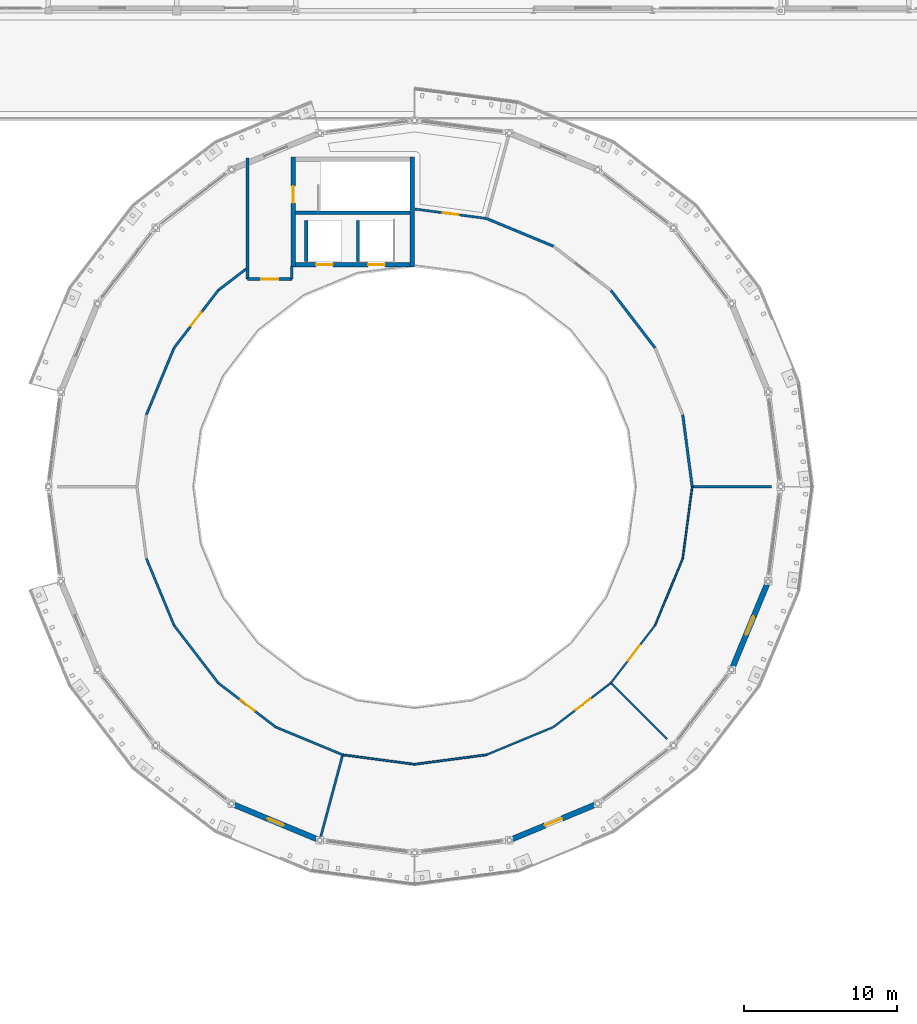
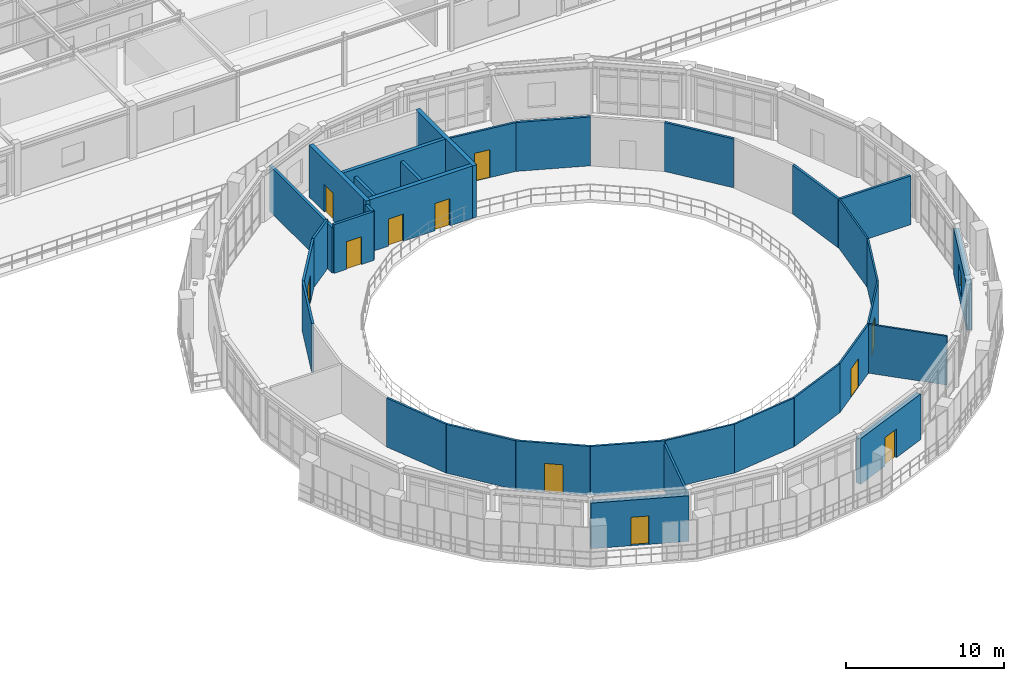
# One storey, part 45 of 58: 33 walls, 11 doors, 1 window, 12 openings.
"""IFC4 building model written with IfcOpenShell, lengths in metres."""

from ifc_helpers import new_model, si_unit, derived_unit, direction, frame, frame_2d, origin, place, context, subcontext, project, spatial, rectangle, extrude, material, layer, layer_set, type_object, element, fill, save


model = new_model("IFC4")

# Units and contexts
model_context = context("Model", 3, precision=1e-05, world=origin(), true_north=direction((0.0, 1.0)))
body_context = subcontext(model_context, "Body", "Model", "MODEL_VIEW")
ifc_project = project(units=[si_unit("LENGTHUNIT", "METRE"), si_unit("AREAUNIT", "SQUARE_METRE"), si_unit("VOLUMEUNIT", "CUBIC_METRE"), si_unit("PLANEANGLEUNIT", "RADIAN"), si_unit("MASSUNIT", "GRAM", prefix="KILO"), derived_unit("THERMALTRANSMITTANCEUNIT", [(si_unit("POWERUNIT", "WATT"), 1), (si_unit("AREAUNIT", "SQUARE_METRE"), -1), (si_unit("THERMODYNAMICTEMPERATUREUNIT", "KELVIN"), -1)])], contexts=[model_context])

# Site, building, storey
site_placement = place(None, origin())
site = spatial("IfcSite", under=ifc_project, at=site_placement, CompositionType="ELEMENT")
building_placement = place(site_placement, origin())
building = spatial("IfcBuilding", under=site, at=building_placement, Name="Yasenodar Specialist Clinic", CompositionType="ELEMENT")
storey_placement = place(building_placement, frame((0.0, 0.0, 17.25)))
storey = spatial("IfcBuildingStorey", under=building, at=storey_placement, Name="L04", CompositionType="ELEMENT", Elevation=17.25)

# Wall, opening, door
ifc_material_1 = material(Name="Drum Insulated Terracotta Chord Wall", Category="masonry")
ifc_layer_1 = layer(ifc_material_1, 0.364990234375)
ifc_layer_set_1 = layer_set([ifc_layer_1], Name="Drum Insulated Terracotta Chord Wall")
wall_type_1 = type_object("IfcWallType", Name="EW-DRUM-365", PredefinedType="SOLIDWALL", material=ifc_layer_set_1)
wall_1_placement = place(storey_placement, frame((74.788330078125, 35.617919921875, 0.0), z_axis=(0.0, 0.0, 1.0), x_axis=(-0.9238876519, 0.382663829839, 0.0)))
wall_1 = element("IfcWall", 1, at=wall_1_placement, inside=storey, type_object=wall_type_1, Name="L04 Exterior Facade Wall 0037", PredefinedType="SOLIDWALL", context=body_context, shape_type="SweptSolid", body=[
    extrude(rectangle(XDim=6.26513671875, YDim=0.364990234375, at=frame_2d((3.132568359375, 0.0))), origin(), (0.0, 0.0, 1.0), 3.528076171875),
])
opening_1_placement = place(wall_1_placement, frame((2.5576171875, 0.0, 0.0)))
opening_1 = element("IfcOpeningElement", 2, at=opening_1_placement, cuts=wall_1, Name="Opening BD-02", PredefinedType="OPENING", context=body_context, shape_type="SweptSolid", body=[
    extrude(rectangle(XDim=1.14990234375, YDim=2.199951171875, at=frame_2d((0.574951171875, 1.10009765625))), frame((0.0, 0.1923828125, 0.0), z_axis=(0.0, -1.0, 0.0), x_axis=(1.0, 0.0, 0.0)), (0.0, 0.0, 1.0), 0.385009765625),
])
ifc_material_2 = material(Name="Thermally Broken Bronze Anodized Aluminium and Laminated Glass", Category="aluminium")
door_type_1 = type_object("IfcDoorType", Name="DR-BALC-115", OperationType="NOTDEFINED", PredefinedType="DOOR", material=ifc_material_2)
door_1_placement = place(opening_1_placement, origin())
door_1 = element("IfcDoor", 3, at=door_1_placement, inside=storey, type_object=door_type_1, Name="L04 Drum Balcony Access Door Sector 16", OperationType="SINGLE_SWING_LEFT", OverallHeight=2.199951171875, OverallWidth=1.14990234375, PredefinedType="DOOR", context=body_context, shape_type="SweptSolid", body=[
    extrude(rectangle(XDim=1.14990234375, YDim=2.199951171875, at=frame_2d((0.574951171875, 1.10009765625))), frame((0.0, 0.02490234375, 0.0), z_axis=(0.0, -1.0, 0.0), x_axis=(1.0, 0.0, 0.0)), (0.0, 0.0, 1.0), 0.050048828125),
])
fill(opening_1, door_1)

wall_2_placement = place(storey_placement, frame((93.0, 38.015380859375, 0.0), z_axis=(0.0, 0.0, 1.0), x_axis=(-0.9238876519, -0.382663829839, 0.0)))
wall_2 = element("IfcWall", 4, at=wall_2_placement, inside=storey, type_object=wall_type_1, Name="L04 Exterior Facade Wall 0038", PredefinedType="SOLIDWALL", context=body_context, shape_type="SweptSolid", body=[
    extrude(rectangle(XDim=6.26513671875, YDim=0.364990234375, at=frame_2d((3.132568359375, 0.0))), origin(), (0.0, 0.0, 1.0), 3.528076171875),
])
opening_2_placement = place(wall_2_placement, frame((2.522705078125, 0.0, 0.0)))
opening_2 = element("IfcOpeningElement", 5, at=opening_2_placement, cuts=wall_2, Name="Opening BD-03", PredefinedType="OPENING", context=body_context, shape_type="SweptSolid", body=[
    extrude(rectangle(XDim=1.219970703125, YDim=2.219970703125, at=frame_2d((0.60986328125, 1.10986328125))), frame((0.0, 0.1923828125, 0.0), z_axis=(0.0, -1.0, 0.0), x_axis=(1.0, 0.0, 0.0)), (0.0, 0.0, 1.0), 0.385009765625),
])
door_type_2 = type_object("IfcDoorType", Name="DR-BALC-122", OperationType="NOTDEFINED", PredefinedType="DOOR", material=ifc_material_2)
door_2_placement = place(opening_2_placement, origin())
door_2 = element("IfcDoor", 6, at=door_2_placement, inside=storey, type_object=door_type_2, Name="L04 Drum Balcony Access Door Sector 19", OperationType="SINGLE_SWING_RIGHT", OverallHeight=2.219970703125, OverallWidth=1.219970703125, PredefinedType="DOOR", context=body_context, shape_type="SweptSolid", body=[
    extrude(rectangle(XDim=1.219970703125, YDim=2.219970703125, at=frame_2d((0.60986328125, 1.10986328125))), frame((0.0, 0.02490234375, 0.0), z_axis=(0.0, -1.0, 0.0), x_axis=(1.0, 0.0, 0.0)), (0.0, 0.0, 1.0), 0.050048828125),
])
fill(opening_2, door_2)

# Wall, opening, window
wall_3_placement = place(storey_placement, frame((104.18212890625, 52.58837890625, 0.0), z_axis=(0.0, 0.0, 1.0), x_axis=(-0.382663829839, -0.9238876519, 0.0)))
wall_3 = element("IfcWall", 7, at=wall_3_placement, inside=storey, type_object=wall_type_1, Name="L04 Exterior Facade Wall 0039", PredefinedType="SOLIDWALL", context=body_context, shape_type="SweptSolid", body=[
    extrude(rectangle(XDim=6.26513671875, YDim=0.364990234375, at=frame_2d((3.132568359375, 0.0))), origin(), (0.0, 0.0, 1.0), 3.528076171875),
])
opening_3_placement = place(wall_3_placement, frame((2.482666015625, 0.0, 0.85009765625)))
opening_3 = element("IfcOpeningElement", 8, at=opening_3_placement, cuts=wall_3, Name="Opening W-21", PredefinedType="OPENING", context=body_context, shape_type="SweptSolid", body=[
    extrude(rectangle(XDim=1.300048828125, YDim=1.64990234375, at=frame_2d((0.64990234375, 0.824951171875))), frame((0.0, 0.1923828125, 0.0), z_axis=(0.0, -1.0, 0.0), x_axis=(1.0, 0.0, 0.0)), (0.0, 0.0, 1.0), 0.385009765625),
])
ifc_material_3 = material(Name="Triple Low-E Argon Glazing in Bronze Aluminium Frame", Category="aluminium")
window_type = type_object("IfcWindowType", Name="WIN-EXT-21", PartitioningType="SINGLE_PANEL", PredefinedType="WINDOW", material=ifc_material_3)
window_placement = place(opening_3_placement, origin())
window = element("IfcWindow", 9, at=window_placement, inside=storey, type_object=window_type, Name="L04 Triple-Glazed Reveal Window 0021", OverallHeight=1.64990234375, OverallWidth=1.300048828125, PartitioningType="SINGLE_PANEL", PredefinedType="WINDOW", context=body_context, shape_type="SweptSolid", body=[
    extrude(rectangle(XDim=1.300048828125, YDim=1.64990234375, at=frame_2d((0.64990234375, 0.824951171875))), frame((0.0, 0.030029296875, 0.0), z_axis=(0.0, -1.0, 0.0), x_axis=(1.0, 0.0, 0.0)), (0.0, 0.0, 1.0), 0.06005859375),
])
fill(opening_3, window)

# Wall, opening, door
ifc_material_4 = material(Name="Outpatient Examination Partition")
ifc_layer_2 = layer(ifc_material_4, 0.14990234375)
ifc_layer_set_2 = layer_set([ifc_layer_2], Name="Outpatient Examination Partition")
wall_type_2 = type_object("IfcWallType", Name="IW-CONS-150", PredefinedType="PARTITIONING", material=ifc_layer_set_2)
wall_4_placement = place(storey_placement, frame((68.130615234375, 45.9306640625, 0.0), z_axis=(0.0, 0.0, 1.0), x_axis=(0.793347417989, -0.608769147025, 0.0)))
wall_4 = element("IfcWall", 10, at=wall_4_placement, inside=storey, type_object=wall_type_2, Name="L04 Endocrinology Metabolic Treatment Suite Partition", PredefinedType="PARTITIONING", context=body_context, shape_type="SweptSolid", body=[
    extrude(rectangle(XDim=4.751220703125, YDim=0.14990234375, at=frame_2d((2.37548828125, 0.0))), origin(), (0.0, 0.0, 1.0), 3.780029296875),
])
opening_4_placement = place(wall_4_placement, frame((1.82568359375, 0.0, 0.0)))
opening_4 = element("IfcOpeningElement", 11, at=opening_4_placement, cuts=wall_4, Name="Opening D-06", PredefinedType="OPENING", context=body_context, shape_type="SweptSolid", body=[
    extrude(rectangle(XDim=1.179931640625, YDim=2.199951171875, at=frame_2d((0.58984375, 1.10009765625))), frame((0.0, 0.0849609375, 0.0), z_axis=(0.0, -1.0, 0.0), x_axis=(1.0, 0.0, 0.0)), (0.0, 0.0, 1.0), 0.169921875),
])
ifc_material_5 = material(Name="Powder-Coated Steel and Acoustic Laminate Leaf", Category="steel")
door_type_3 = type_object("IfcDoorType", Name="DR-CLN-118", OperationType="NOTDEFINED", PredefinedType="DOOR", material=ifc_material_5)
door_3_placement = place(opening_4_placement, origin())
door_3 = element("IfcDoor", 12, at=door_3_placement, inside=storey, type_object=door_type_3, Name="L04 Endocrinology Metabolic Treatment Suite Door", OperationType="SINGLE_SWING_LEFT", OverallHeight=2.199951171875, OverallWidth=1.179931640625, PredefinedType="DOOR", context=body_context, shape_type="SweptSolid", body=[
    extrude(rectangle(XDim=1.179931640625, YDim=2.199951171875, at=frame_2d((0.58984375, 1.10009765625))), frame((0.0, 0.02490234375, 0.0), z_axis=(0.0, -1.0, 0.0), x_axis=(1.0, 0.0, 0.0)), (0.0, 0.0, 1.0), 0.050048828125),
])
fill(opening_4, door_3)

# Walls
for number, where, z_axis, x_axis, name in (
    (13, (65.23828125, 49.699951171875, 0.0), (0.0, 0.0, 1.0), (0.608769147025, -0.793347417989, 0.0), "L04 Endocrinology Metabolic Treatment Suite Partition"),
    (14, (63.420166015625, 54.089599609375, 0.0), (0.0, 0.0, 1.0), (0.382658877568, -0.923889703059, 0.0), "L04 Endocrinology Metabolic Treatment Suite Partition"),
    (15, (71.89990234375, 43.038330078125, 0.0), (0.0, 0.0, 1.0), (0.923889703059, -0.382658877568, 0.0), "L04 Endocrinology Metabolic Treatment Suite Partition"),
):
    element("IfcWall", number, at=place(storey_placement, frame(where, z_axis=z_axis, x_axis=x_axis)), inside=storey, type_object=wall_type_2, Name=name, PredefinedType="PARTITIONING", context=body_context, shape_type="SweptSolid", body=[
        extrude(rectangle(XDim=4.751220703125, YDim=0.14990234375, at=frame_2d((2.37548828125, 0.0))), origin(), (0.0, 0.0, 1.0), 3.780029296875),
    ])
wall_5_placement = place(storey_placement, frame((76.28955078125, 41.22021484375, 0.0), z_axis=(0.0, 0.0, 1.0), x_axis=(-0.258829913508, -0.965922914043, 0.0)))
element("IfcWall", 16, at=wall_5_placement, inside=storey, type_object=wall_type_2, Name="L04 Endocrinology Metabolic Treatment Suite Partition", PredefinedType="PARTITIONING", context=body_context, shape_type="SweptSolid", body=[
    extrude(rectangle(XDim=5.635986328125, YDim=0.14990234375, at=frame_2d((2.81787109375, 0.0))), origin(), (0.0, 0.0, 1.0), 3.528076171875),
])

# Wall, opening, door
wall_6_placement = place(storey_placement, frame((85.6904296875, 76.382568359375, 0.0), z_axis=(0.0, 0.0, 1.0), x_axis=(-0.991448296829, 0.13050009469, 0.0)))
wall_6 = element("IfcWall", 17, at=wall_6_placement, inside=storey, type_object=wall_type_2, Name="L04 Pulmonary Rehabilitation Day Lounge Partition", PredefinedType="PARTITIONING", context=body_context, shape_type="SweptSolid", body=[
    extrude(rectangle(XDim=4.710693359375, YDim=0.14990234375, at=frame_2d((2.35546875, 0.0))), origin(), (0.0, 0.0, 1.0), 3.780029296875),
])
opening_5_placement = place(wall_6_placement, frame((1.805419921875, 0.0, 0.0)))
opening_5 = element("IfcOpeningElement", 18, at=opening_5_placement, cuts=wall_6, Name="Opening D-04", PredefinedType="OPENING", context=body_context, shape_type="SweptSolid", body=[
    extrude(rectangle(XDim=1.06005859375, YDim=2.159912109375, at=frame_2d((0.530029296875, 1.080078125))), frame((0.0, 0.0849609375, 0.0), z_axis=(0.0, -1.0, 0.0), x_axis=(1.0, 0.0, 0.0)), (0.0, 0.0, 1.0), 0.169921875),
])
door_type_4 = type_object("IfcDoorType", Name="DR-CLN-106", OperationType="NOTDEFINED", PredefinedType="DOOR", material=ifc_material_5)
door_4_placement = place(opening_5_placement, origin())
door_4 = element("IfcDoor", 19, at=door_4_placement, inside=storey, type_object=door_type_4, Name="L04 Pulmonary Rehabilitation Day Lounge Door", OperationType="SINGLE_SWING_RIGHT", OverallHeight=2.159912109375, OverallWidth=1.06005859375, PredefinedType="DOOR", context=body_context, shape_type="SweptSolid", body=[
    extrude(rectangle(XDim=1.06005859375, YDim=2.159912109375, at=frame_2d((0.530029296875, 1.080078125))), frame((0.0, 0.02490234375, 0.0), z_axis=(0.0, -1.0, 0.0), x_axis=(1.0, 0.0, 0.0)), (0.0, 0.0, 1.0), 0.050048828125),
])
fill(opening_5, door_4)

ifc_material_6 = material(Name="Acoustic Double-Gypsum Consulting Partition")
ifc_layer_3 = layer(ifc_material_6, 0.159912109375)
ifc_layer_set_3 = layer_set([ifc_layer_3], Name="Acoustic Double-Gypsum Consulting Partition")
wall_type_3 = type_object("IfcWallType", Name="IW-CONS-160", PredefinedType="PARTITIONING", material=ifc_layer_set_3)
wall_7_placement = place(storey_placement, frame((68.130615234375, 71.669189453125, 0.0), z_axis=(0.0, 0.0, 1.0), x_axis=(-0.608769147025, -0.793347417989, 0.0)))
wall_7 = element("IfcWall", 20, at=wall_7_placement, inside=storey, type_object=wall_type_3, Name="L04 Allergy and Immunology Day Clinic Partition", PredefinedType="PARTITIONING", context=body_context, shape_type="SweptSolid", body=[
    extrude(rectangle(XDim=4.751220703125, YDim=0.159912109375, at=frame_2d((2.37548828125, 0.0))), origin(), (0.0, 0.0, 1.0), 3.780029296875),
])
opening_6_placement = place(wall_7_placement, frame((1.82568359375, 0.0, 0.0)))
opening_6 = element("IfcOpeningElement", 21, at=opening_6_placement, cuts=wall_7, Name="Opening D-05", PredefinedType="OPENING", context=body_context, shape_type="SweptSolid", body=[
    extrude(rectangle(XDim=1.1201171875, YDim=2.179931640625, at=frame_2d((0.56005859375, 1.08984375))), frame((0.0, 0.08984375, 0.0), z_axis=(0.0, -1.0, 0.0), x_axis=(1.0, 0.0, 0.0)), (0.0, 0.0, 1.0), 0.179931640625),
])
door_type_5 = type_object("IfcDoorType", Name="DR-CLN-112", OperationType="NOTDEFINED", PredefinedType="DOOR", material=ifc_material_5)
door_5_placement = place(opening_6_placement, origin())
door_5 = element("IfcDoor", 22, at=door_5_placement, inside=storey, type_object=door_type_5, Name="L04 Allergy and Immunology Day Clinic Door", OperationType="SINGLE_SWING_RIGHT", OverallHeight=2.179931640625, OverallWidth=1.1201171875, PredefinedType="DOOR", context=body_context, shape_type="SweptSolid", body=[
    extrude(rectangle(XDim=1.1201171875, YDim=2.179931640625, at=frame_2d((0.56005859375, 1.08984375))), frame((0.0, 0.02490234375, 0.0), z_axis=(0.0, -1.0, 0.0), x_axis=(1.0, 0.0, 0.0)), (0.0, 0.0, 1.0), 0.050048828125),
])
fill(opening_6, door_5)

# Walls
wall_8_placement = place(storey_placement, frame((65.23828125, 67.89990234375, 0.0), z_axis=(0.0, 0.0, 1.0), x_axis=(-0.382677044484, -0.923882178432, 0.0)))
element("IfcWall", 23, at=wall_8_placement, inside=storey, type_object=wall_type_3, Name="L04 Allergy and Immunology Day Clinic Partition", PredefinedType="PARTITIONING", context=body_context, shape_type="SweptSolid", body=[
    extrude(rectangle(XDim=4.7509765625, YDim=0.159912109375, at=frame_2d((2.37548828125, 0.0))), origin(), (0.0, 0.0, 1.0), 3.780029296875),
])
wall_9_placement = place(storey_placement, frame((69.968505859375, 73.079345703125, 0.0), z_axis=(0.0, 0.0, 1.0), x_axis=(-0.7933756116, -0.608732403374, 0.0)))
element("IfcWall", 24, at=wall_9_placement, inside=storey, type_object=wall_type_3, Name="L04 Allergy and Immunology Day Clinic Partition", PredefinedType="PARTITIONING", context=body_context, shape_type="SweptSolid", body=[
    extrude(rectangle(XDim=2.316650390625, YDim=0.159912109375, at=frame_2d((1.158203125, 0.0))), origin(), (0.0, 0.0, 1.0), 3.780029296875),
])
ifc_material_7 = material(Name="Cleanroom Laboratory Partition")
ifc_layer_4 = layer(ifc_material_7, 0.169921875)
ifc_layer_set_4 = layer_set([ifc_layer_4], Name="Cleanroom Laboratory Partition")
wall_type_4 = type_object("IfcWallType", Name="IW-LAB-170", PredefinedType="PARTITIONING", material=ifc_layer_set_4)
wall_10_placement = place(storey_placement, frame((96.76171875, 67.89990234375, 0.0), z_axis=(0.0, 0.0, 1.0), x_axis=(-0.608769147025, 0.793347417989, 0.0)))
element("IfcWall", 25, at=wall_10_placement, inside=storey, type_object=wall_type_4, Name="L04 Pulmonary Function and Bronchoscopy Suite Partition", PredefinedType="PARTITIONING", context=body_context, shape_type="SweptSolid", body=[
    extrude(rectangle(XDim=4.751220703125, YDim=0.169921875, at=frame_2d((2.37548828125, 0.0))), origin(), (0.0, 0.0, 1.0), 3.780029296875),
])
wall_11_placement = place(storey_placement, frame((99.199951171875, 58.800048828125, 0.0), z_axis=(0.0, 0.0, 1.0), x_axis=(-0.130520975042, 0.991445548214, 0.0)))
element("IfcWall", 26, at=wall_11_placement, inside=storey, type_object=wall_type_4, Name="L04 Pulmonary Function and Bronchoscopy Suite Partition", PredefinedType="PARTITIONING", context=body_context, shape_type="SweptSolid", body=[
    extrude(rectangle(XDim=4.7509765625, YDim=0.169921875, at=frame_2d((2.37548828125, 0.0))), origin(), (0.0, 0.0, 1.0), 3.780029296875),
])
wall_12_placement = place(storey_placement, frame((90.10009765625, 74.561767578125, 0.0), z_axis=(0.0, 0.0, 1.0), x_axis=(-0.923889703059, 0.382658877568, 0.0)))
element("IfcWall", 27, at=wall_12_placement, inside=storey, type_object=wall_type_4, Name="L04 Pulmonary Function and Bronchoscopy Suite Partition", PredefinedType="PARTITIONING", context=body_context, shape_type="SweptSolid", body=[
    extrude(rectangle(XDim=4.751220703125, YDim=0.169921875, at=frame_2d((2.37548828125, 0.0))), origin(), (0.0, 0.0, 1.0), 3.780029296875),
])
wall_13_placement = place(storey_placement, frame((104.39990234375, 58.800048828125, 0.0), z_axis=(0.0, 0.0, 1.0), x_axis=(-1.0, 0.0, 0.0)))
element("IfcWall", 28, at=wall_13_placement, inside=storey, type_object=wall_type_4, Name="L04 Pulmonary Function and Bronchoscopy Suite Partition", PredefinedType="PARTITIONING", context=body_context, shape_type="SweptSolid", body=[
    extrude(rectangle(XDim=5.199951171875, YDim=0.169921875, at=frame_2d((2.60009765625, 0.0))), origin(), (0.0, 0.0, 1.0), 3.780029296875),
])
ifc_material_8 = material(Name="Fire-Rated Gypsum and Mineral-Wool Wall")
ifc_layer_5 = layer(ifc_material_8, 0.195068359375)
ifc_layer_set_5 = layer_set([ifc_layer_5], Name="Fire-Rated Gypsum and Mineral-Wool Wall")
wall_type_5 = type_object("IfcWallType", Name="IW-LOBBY-195", PredefinedType="PARTITIONING", material=ifc_layer_set_5)
wall_14_placement = place(storey_placement, frame((70.050048828125, 72.39990234375, 0.0), z_axis=(0.0, 0.0, 1.0), x_axis=(0.0, 1.0, 0.0)))
element("IfcWall", 29, at=wall_14_placement, inside=storey, type_object=wall_type_5, Name="L04 C3 Stair Vestibule West Wall", PredefinedType="PARTITIONING", context=body_context, shape_type="SweptSolid", body=[
    extrude(rectangle(XDim=7.9501953125, YDim=0.195068359375, at=frame_2d((3.97509765625, 0.0))), origin(), (0.0, 0.0, 1.0), 3.528076171875),
])

# Wall, opening, door
wall_15_placement = place(storey_placement, frame((70.050048828125, 72.39990234375, 0.0), z_axis=(0.0, 0.0, 1.0), x_axis=(1.0, 0.0, 0.0)))
wall_15 = element("IfcWall", 30, at=wall_15_placement, inside=storey, type_object=wall_type_5, Name="L04 C3 Stair Vestibule South Wall", PredefinedType="PARTITIONING", context=body_context, shape_type="SweptSolid", body=[
    extrude(rectangle(XDim=2.89990234375, YDim=0.195068359375, at=frame_2d((1.449951171875, 0.0))), origin(), (0.0, 0.0, 1.0), 3.780029296875),
])
opening_7_placement = place(wall_15_placement, frame((0.89990234375, 0.0, 0.0)))
opening_7 = element("IfcOpeningElement", 31, at=opening_7_placement, cuts=wall_15, Name="Opening FD-01", PredefinedType="OPENING", context=body_context, shape_type="SweptSolid", body=[
    extrude(rectangle(XDim=1.10009765625, YDim=2.14990234375, at=frame_2d((0.550048828125, 1.074951171875))), frame((0.0, 0.107421875, 0.0), z_axis=(0.0, -1.0, 0.0), x_axis=(1.0, 0.0, 0.0)), (0.0, 0.0, 1.0), 0.215087890625),
])
ifc_material_9 = material(Name="Fire-Rated Insulated Steel Door", Category="steel")
door_type_6 = type_object("IfcDoorType", Name="DR-FD-110", OperationType="NOTDEFINED", PredefinedType="DOOR", material=ifc_material_9)
door_6_placement = place(opening_7_placement, origin())
door_6 = element("IfcDoor", 32, at=door_6_placement, inside=storey, type_object=door_type_6, Name="L04 Stair ST-03 Ring Corridor Vestibule Door", OperationType="SINGLE_SWING_RIGHT", OverallHeight=2.14990234375, OverallWidth=1.10009765625, PredefinedType="DOOR", context=body_context, shape_type="SweptSolid", body=[
    extrude(rectangle(XDim=1.10009765625, YDim=2.14990234375, at=frame_2d((0.550048828125, 1.074951171875))), frame((0.0, 0.02490234375, 0.0), z_axis=(0.0, -1.0, 0.0), x_axis=(1.0, 0.0, 0.0)), (0.0, 0.0, 1.0), 0.050048828125),
])
fill(opening_7, door_6)

# Wall
wall_16_placement = place(storey_placement, frame((72.949951171875, 72.39990234375, 0.0), z_axis=(0.0, 0.0, 1.0), x_axis=(0.0, 1.0, 0.0)))
element("IfcWall", 33, at=wall_16_placement, inside=storey, type_object=wall_type_5, Name="L04 C3 Stair Vestibule Corner Return Wall", PredefinedType="PARTITIONING", context=body_context, shape_type="SweptSolid", body=[
    extrude(rectangle(XDim=0.85009765625, YDim=0.195068359375, at=frame_2d((0.425048828125, 0.0))), origin(), (0.0, 0.0, 1.0), 3.780029296875),
])

# Wall, opening, door
ifc_material_10 = material(Name="Lightweight Counseling Partition")
ifc_layer_6 = layer(ifc_material_10, 0.114990234375)
ifc_layer_set_6 = layer_set([ifc_layer_6], Name="Lightweight Counseling Partition")
wall_type_6 = type_object("IfcWallType", Name="IW-PART-115", PredefinedType="PARTITIONING", material=ifc_layer_set_6)
wall_17_placement = place(storey_placement, frame((93.881591796875, 45.94677734375, 0.0), z_axis=(0.0, 0.0, 1.0), x_axis=(0.608790083792, 0.793331351881, 0.0)))
wall_17 = element("IfcWall", 34, at=wall_17_placement, inside=storey, type_object=wall_type_6, Name="L04 Multidisciplinary Case Review Room Partition", PredefinedType="PARTITIONING", context=body_context, shape_type="SweptSolid", body=[
    extrude(rectangle(XDim=4.73095703125, YDim=0.114990234375, at=frame_2d((2.365478515625, 0.0))), origin(), (0.0, 0.0, 1.0), 3.780029296875),
])
opening_8_placement = place(wall_17_placement, frame((1.8154296875, 0.0, 0.0)))
opening_8 = element("IfcOpeningElement", 35, at=opening_8_placement, cuts=wall_17, Name="Opening D-08", PredefinedType="OPENING", context=body_context, shape_type="SweptSolid", body=[
    extrude(rectangle(XDim=1.280029296875, YDim=2.219970703125, at=frame_2d((0.64013671875, 1.10986328125))), frame((0.0, 0.0673828125, 0.0), z_axis=(0.0, -1.0, 0.0), x_axis=(1.0, 0.0, 0.0)), (0.0, 0.0, 1.0), 0.135009765625),
])
door_type_7 = type_object("IfcDoorType", Name="DR-CLN-128", OperationType="NOTDEFINED", PredefinedType="DOOR", material=ifc_material_5)
door_7_placement = place(opening_8_placement, origin())
door_7 = element("IfcDoor", 36, at=door_7_placement, inside=storey, type_object=door_type_7, Name="L04 Multidisciplinary Case Review Room Door", OperationType="SINGLE_SWING_LEFT", OverallHeight=2.219970703125, OverallWidth=1.280029296875, PredefinedType="DOOR", context=body_context, shape_type="SweptSolid", body=[
    extrude(rectangle(XDim=1.280029296875, YDim=2.219970703125, at=frame_2d((0.64013671875, 1.10986328125))), frame((0.0, 0.02490234375, 0.0), z_axis=(0.0, -1.0, 0.0), x_axis=(1.0, 0.0, 0.0)), (0.0, 0.0, 1.0), 0.050048828125),
])
fill(opening_8, door_7)

# Walls
wall_18_placement = place(storey_placement, frame((96.76171875, 49.699951171875, 0.0), z_axis=(0.0, 0.0, 1.0), x_axis=(0.382658877568, 0.923889703059, 0.0)))
element("IfcWall", 37, at=wall_18_placement, inside=storey, type_object=wall_type_6, Name="L04 Multidisciplinary Case Review Room Partition", PredefinedType="PARTITIONING", context=body_context, shape_type="SweptSolid", body=[
    extrude(rectangle(XDim=4.751220703125, YDim=0.114990234375, at=frame_2d((2.37548828125, 0.0))), origin(), (0.0, 0.0, 1.0), 3.780029296875),
])
wall_19_placement = place(storey_placement, frame((98.579833984375, 54.089599609375, 0.0), z_axis=(0.0, 0.0, 1.0), x_axis=(0.130561305543, 0.991440237985, 0.0)))
element("IfcWall", 38, at=wall_19_placement, inside=storey, type_object=wall_type_6, Name="L04 Multidisciplinary Case Review Room Partition", PredefinedType="PARTITIONING", context=body_context, shape_type="SweptSolid", body=[
    extrude(rectangle(XDim=4.73095703125, YDim=0.114990234375, at=frame_2d((2.365478515625, 0.0))), origin(), (0.0, 0.0, 1.0), 3.780029296875),
])

# Wall, opening, door
ifc_material_11 = material(Name="Clinical Sub-Division Partition")
ifc_layer_7 = layer(ifc_material_11, 0.125)
ifc_layer_set_7 = layer_set([ifc_layer_7], Name="Clinical Sub-Division Partition")
wall_type_7 = type_object("IfcWallType", Name="IW-PART-125", PredefinedType="PARTITIONING", material=ifc_layer_set_7)
wall_20_placement = place(storey_placement, frame((90.10009765625, 43.038330078125, 0.0), z_axis=(0.0, 0.0, 1.0), x_axis=(0.793347417989, 0.608769147025, 0.0)))
wall_20 = element("IfcWall", 39, at=wall_20_placement, inside=storey, type_object=wall_type_7, Name="L04 Dermatology Phototherapy Suite Partition", PredefinedType="PARTITIONING", context=body_context, shape_type="SweptSolid", body=[
    extrude(rectangle(XDim=4.751220703125, YDim=0.125, at=frame_2d((2.37548828125, 0.0))), origin(), (0.0, 0.0, 1.0), 3.780029296875),
])
opening_9_placement = place(wall_20_placement, frame((1.82568359375, 0.0, 0.0)))
opening_9 = element("IfcOpeningElement", 40, at=opening_9_placement, cuts=wall_20, Name="Opening D-07", PredefinedType="OPENING", context=body_context, shape_type="SweptSolid", body=[
    extrude(rectangle(XDim=1.239990234375, YDim=2.199951171875, at=frame_2d((0.6201171875, 1.10009765625))), frame((0.0, 0.072509765625, 0.0), z_axis=(0.0, -1.0, 0.0), x_axis=(1.0, 0.0, 0.0)), (0.0, 0.0, 1.0), 0.14501953125),
])
door_type_8 = type_object("IfcDoorType", Name="DR-CLN-124", OperationType="NOTDEFINED", PredefinedType="DOOR", material=ifc_material_5)
door_8_placement = place(opening_9_placement, origin())
door_8 = element("IfcDoor", 41, at=door_8_placement, inside=storey, type_object=door_type_8, Name="L04 Dermatology Phototherapy Suite Door", OperationType="SINGLE_SWING_RIGHT", OverallHeight=2.199951171875, OverallWidth=1.239990234375, PredefinedType="DOOR", context=body_context, shape_type="SweptSolid", body=[
    extrude(rectangle(XDim=1.239990234375, YDim=2.199951171875, at=frame_2d((0.6201171875, 1.10009765625))), frame((0.0, 0.02490234375, 0.0), z_axis=(0.0, -1.0, 0.0), x_axis=(1.0, 0.0, 0.0)), (0.0, 0.0, 1.0), 0.050048828125),
])
fill(opening_9, door_8)

# Walls
wall_21_placement = place(storey_placement, frame((76.3095703125, 41.217529296875, 0.0), z_axis=(0.0, 0.0, 1.0), x_axis=(0.991446916709, -0.130510579448, 0.0)))
element("IfcWall", 42, at=wall_21_placement, inside=storey, type_object=wall_type_7, Name="L04 Dermatology Phototherapy Suite Partition", PredefinedType="PARTITIONING", context=body_context, shape_type="SweptSolid", body=[
    extrude(rectangle(XDim=4.73095703125, YDim=0.125, at=frame_2d((2.365478515625, 0.0))), origin(), (0.0, 0.0, 1.0), 3.780029296875),
])
wall_22_placement = place(storey_placement, frame((81.0, 40.60009765625, 0.0), z_axis=(0.0, 0.0, 1.0), x_axis=(0.991445548214, 0.130520975042, 0.0)))
element("IfcWall", 43, at=wall_22_placement, inside=storey, type_object=wall_type_7, Name="L04 Dermatology Phototherapy Suite Partition", PredefinedType="PARTITIONING", context=body_context, shape_type="SweptSolid", body=[
    extrude(rectangle(XDim=4.7509765625, YDim=0.125, at=frame_2d((2.37548828125, 0.0))), origin(), (0.0, 0.0, 1.0), 3.780029296875),
])
wall_23_placement = place(storey_placement, frame((85.71044921875, 41.22021484375, 0.0), z_axis=(0.0, 0.0, 1.0), x_axis=(0.923889703059, 0.382658877568, 0.0)))
element("IfcWall", 44, at=wall_23_placement, inside=storey, type_object=wall_type_7, Name="L04 Dermatology Phototherapy Suite Partition", PredefinedType="PARTITIONING", context=body_context, shape_type="SweptSolid", body=[
    extrude(rectangle(XDim=4.751220703125, YDim=0.125, at=frame_2d((2.37548828125, 0.0))), origin(), (0.0, 0.0, 1.0), 3.780029296875),
])
wall_24_placement = place(storey_placement, frame((93.869384765625, 45.9306640625, 0.0), z_axis=(0.0, 0.0, 1.0), x_axis=(0.707106781187, -0.707106781187, 0.0)))
element("IfcWall", 45, at=wall_24_placement, inside=storey, type_object=wall_type_7, Name="L04 Dermatology Phototherapy Suite Partition", PredefinedType="PARTITIONING", context=body_context, shape_type="SweptSolid", body=[
    extrude(rectangle(XDim=5.199951171875, YDim=0.125, at=frame_2d((2.60009765625, 0.0))), origin(), (0.0, 0.0, 1.0), 3.780029296875),
])
ifc_material_12 = material(Name="Aerated Concrete Blockwork Fire Shaft Wall", Category="masonry")
ifc_layer_8 = layer(ifc_material_12, 0.205078125)
ifc_layer_set_8 = layer_set([ifc_layer_8], Name="Aerated Concrete Blockwork Fire Shaft Wall")
wall_type_8 = type_object("IfcWallType", Name="IW-SHAFT-205", PredefinedType="PARTITIONING", material=ifc_layer_set_8)
for number, where, z_axis, x_axis, name in (
    (46, (73.89990234375, 73.550048828125, 0.0), (0.0, 0.0, 1.0), (0.0, 1.0, 0.0), "L04 LF-06 Lift Shaft Side Wall"),
    (47, (77.300048828125, 73.550048828125, 0.0), (0.0, 0.0, 1.0), (0.0, 1.0, 0.0), "L04 LF-07 Lift Shaft Side Wall"),
):
    element("IfcWall", number, at=place(storey_placement, frame(where, z_axis=z_axis, x_axis=x_axis)), inside=storey, type_object=wall_type_8, Name=name, PredefinedType="PARTITIONING", context=body_context, shape_type="SweptSolid", body=[
        extrude(rectangle(XDim=2.699951171875, YDim=0.205078125, at=frame_2d((1.35009765625, 0.0))), origin(), (0.0, 0.0, 1.0), 3.780029296875),
    ])
ifc_material_13 = material(Name="Concrete C35/45", Category="concrete")
ifc_layer_9 = layer(ifc_material_13, 0.25)
ifc_layer_set_9 = layer_set([ifc_layer_9], Name="Concrete C35/45")
wall_type_9 = type_object("IfcWallType", Name="WL-CORE-250", PredefinedType="SHEAR", material=ifc_layer_set_9)
wall_25_placement = place(storey_placement, frame((73.199951171875, 76.75, 0.0), z_axis=(0.0, 0.0, 1.0), x_axis=(1.0, 0.0, 0.0)))
element("IfcWall", 48, at=wall_25_placement, inside=storey, type_object=wall_type_9, Name="L04 Core C3 Central Spine Wall", PredefinedType="SHEAR", context=body_context, shape_type="SweptSolid", body=[
    extrude(rectangle(XDim=7.5, YDim=0.25, at=frame_2d((3.75, 0.0))), origin(), (0.0, 0.0, 1.0), 4.050048828125),
])

# Wall, openings, doors
ifc_layer_10 = layer(ifc_material_13, 0.300048828125)
ifc_layer_set_10 = layer_set([ifc_layer_10], Name="Concrete C35/45")
wall_type_10 = type_object("IfcWallType", Name="WL-CORE-300", PredefinedType="SHEAR", material=ifc_layer_set_10)
wall_26_placement = place(storey_placement, frame((72.89990234375, 73.35009765625, 0.0), z_axis=(0.0, 0.0, 1.0), x_axis=(1.0, 0.0, 0.0)))
wall_26 = element("IfcWall", 49, at=wall_26_placement, inside=storey, type_object=wall_type_10, Name="L04 Core C3 South Shear Wall", PredefinedType="SHEAR", context=body_context, shape_type="SweptSolid", body=[
    extrude(rectangle(XDim=8.10009765625, YDim=0.300048828125, at=frame_2d((4.050048828125, 0.0))), origin(), (0.0, 0.0, 1.0), 4.050048828125),
])
opening_10_placement = place(wall_26_placement, frame((1.64990234375, 0.0, 0.0)))
opening_10 = element("IfcOpeningElement", 50, at=opening_10_placement, cuts=wall_26, Name="Opening LD-03", PredefinedType="OPENING", context=body_context, shape_type="SweptSolid", body=[
    extrude(rectangle(XDim=1.10009765625, YDim=2.10009765625, at=frame_2d((0.550048828125, 1.050048828125))), frame((0.0, 0.16015625, 0.0), z_axis=(0.0, -1.0, 0.0), x_axis=(1.0, 0.0, 0.0)), (0.0, 0.0, 1.0), 0.320068359375),
])
opening_11_placement = place(wall_26_placement, frame((5.050048828125, 0.0, 0.0)))
opening_11 = element("IfcOpeningElement", 51, at=opening_11_placement, cuts=wall_26, Name="Opening LD-03", PredefinedType="OPENING", context=body_context, shape_type="SweptSolid", body=[
    extrude(rectangle(XDim=1.10009765625, YDim=2.10009765625, at=frame_2d((0.550048828125, 1.050048828125))), frame((0.0, 0.16015625, 0.0), z_axis=(0.0, -1.0, 0.0), x_axis=(1.0, 0.0, 0.0)), (0.0, 0.0, 1.0), 0.320068359375),
])
door_type_9 = type_object("IfcDoorType", Name="DR-LD-110", OperationType="DOUBLE_DOOR_SLIDING", PredefinedType="DOOR", material=ifc_material_9)
door_9_placement = place(opening_10_placement, origin())
door_9 = element("IfcDoor", 52, at=door_9_placement, inside=storey, type_object=door_type_9, Name="L04 LF-06 Lift Landing Door", OperationType="DOUBLE_DOOR_SLIDING", OverallHeight=2.10009765625, OverallWidth=1.10009765625, PredefinedType="DOOR", context=body_context, shape_type="SweptSolid", body=[
    extrude(rectangle(XDim=1.10009765625, YDim=2.10009765625, at=frame_2d((0.550048828125, 1.050048828125))), frame((0.0, 0.02490234375, 0.0), z_axis=(0.0, -1.0, 0.0), x_axis=(1.0, 0.0, 0.0)), (0.0, 0.0, 1.0), 0.050048828125),
])
fill(opening_10, door_9)
door_10_placement = place(opening_11_placement, origin())
door_10 = element("IfcDoor", 53, at=door_10_placement, inside=storey, type_object=door_type_9, Name="L04 LF-07 Lift Landing Door", OperationType="DOUBLE_DOOR_SLIDING", OverallHeight=2.10009765625, OverallWidth=1.10009765625, PredefinedType="DOOR", context=body_context, shape_type="SweptSolid", body=[
    extrude(rectangle(XDim=1.10009765625, YDim=2.10009765625, at=frame_2d((0.550048828125, 1.050048828125))), frame((0.0, 0.02490234375, 0.0), z_axis=(0.0, -1.0, 0.0), x_axis=(1.0, 0.0, 0.0)), (0.0, 0.0, 1.0), 0.050048828125),
])
fill(opening_11, door_10)

# Wall, opening, door
wall_27_placement = place(storey_placement, frame((73.050048828125, 73.199951171875, 0.0), z_axis=(0.0, 0.0, 1.0), x_axis=(0.0, 1.0, 0.0)))
wall_27 = element("IfcWall", 54, at=wall_27_placement, inside=storey, type_object=wall_type_10, Name="L04 Core C3 West Shear Wall", PredefinedType="SHEAR", context=body_context, shape_type="SweptSolid", body=[
    extrude(rectangle(XDim=7.199951171875, YDim=0.300048828125, at=frame_2d((3.60009765625, 0.0))), origin(), (0.0, 0.0, 1.0), 4.050048828125),
])
opening_12_placement = place(wall_27_placement, frame((4.199951171875, 0.0, 0.0)))
opening_12 = element("IfcOpeningElement", 55, at=opening_12_placement, cuts=wall_27, Name="Opening FD-01", PredefinedType="OPENING", context=body_context, shape_type="SweptSolid", body=[
    extrude(rectangle(XDim=1.10009765625, YDim=2.14990234375, at=frame_2d((0.550048828125, 1.074951171875))), frame((0.0, 0.16015625, 0.0), z_axis=(0.0, -1.0, 0.0), x_axis=(1.0, 0.0, 0.0)), (0.0, 0.0, 1.0), 0.320068359375),
])
door_11_placement = place(opening_12_placement, origin())
door_11 = element("IfcDoor", 56, at=door_11_placement, inside=storey, type_object=door_type_6, Name="L04 ST-03 Protected Stair Door", OperationType="SINGLE_SWING_LEFT", OverallHeight=2.14990234375, OverallWidth=1.10009765625, PredefinedType="DOOR", context=body_context, shape_type="SweptSolid", body=[
    extrude(rectangle(XDim=1.10009765625, YDim=2.14990234375, at=frame_2d((0.550048828125, 1.074951171875))), frame((0.0, 0.02490234375, 0.0), z_axis=(0.0, -1.0, 0.0), x_axis=(1.0, 0.0, 0.0)), (0.0, 0.0, 1.0), 0.050048828125),
])
fill(opening_12, door_11)

# Wall
wall_28_placement = place(storey_placement, frame((80.85009765625, 73.199951171875, 0.0), z_axis=(0.0, 0.0, 1.0), x_axis=(0.0, 1.0, 0.0)))
element("IfcWall", 57, at=wall_28_placement, inside=storey, type_object=wall_type_10, Name="L04 Core C3 East Shear Wall", PredefinedType="SHEAR", context=body_context, shape_type="SweptSolid", body=[
    extrude(rectangle(XDim=7.199951171875, YDim=0.300048828125, at=frame_2d((3.60009765625, 0.0))), origin(), (0.0, 0.0, 1.0), 4.050048828125),
])

save(model, "model.ifc")
